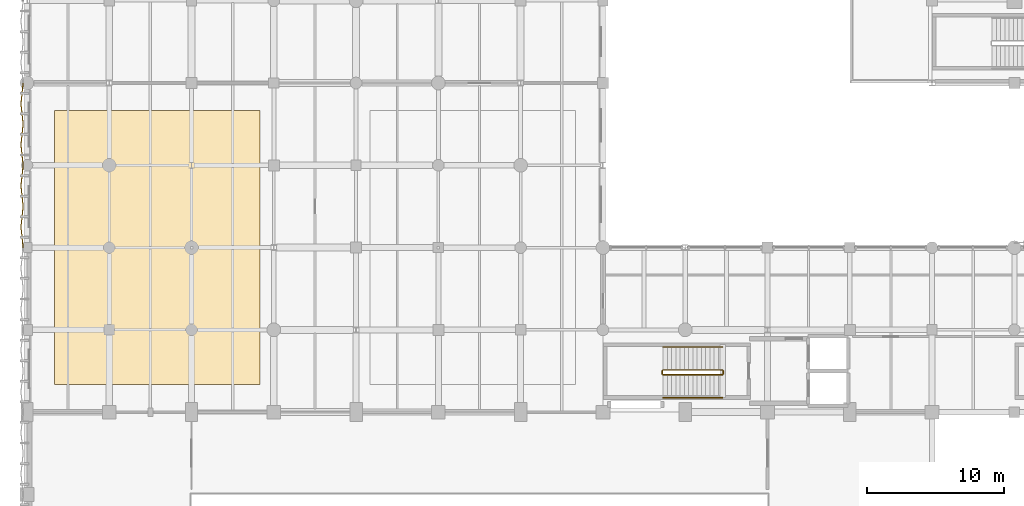
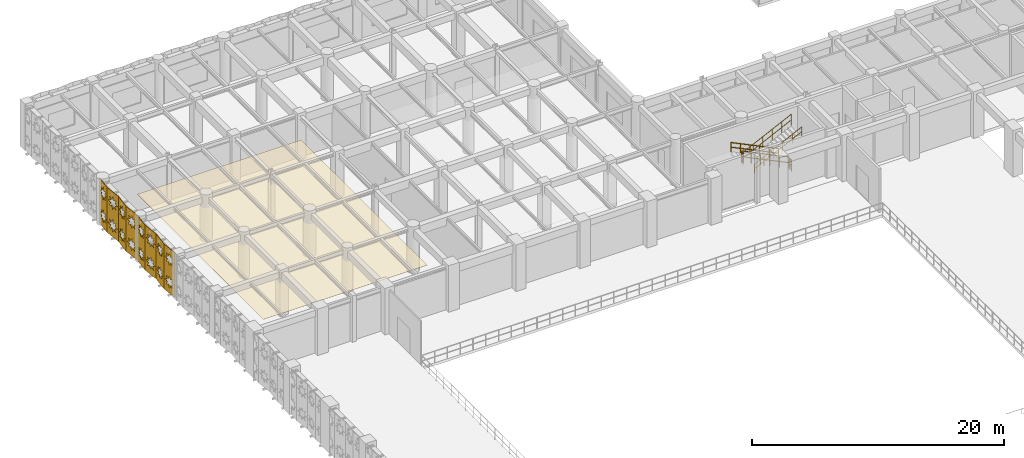
# One storey, part 126 of 133: 9 coverings, 6 railings.
"""IFC4 building model written with IfcOpenShell, lengths in metres."""

from ifc_helpers import new_model, si_unit, direction, frame, origin, origin_2d, place, context, subcontext, project, spatial, polyline, circle, outline, extrude, material, layer, layer_set, type_object, element, save


model = new_model("IFC4")

# Units and contexts
model_context = context("Model", 3, precision=1e-05, world=origin(), true_north=direction((0.0, 1.0)))
body_context = subcontext(model_context, "Body", "Model", "MODEL_VIEW")
ifc_project = project(units=[si_unit("LENGTHUNIT", "METRE"), si_unit("AREAUNIT", "SQUARE_METRE"), si_unit("VOLUMEUNIT", "CUBIC_METRE"), si_unit("PLANEANGLEUNIT", "RADIAN"), si_unit("MASSUNIT", "GRAM", prefix="KILO"), si_unit("THERMODYNAMICTEMPERATUREUNIT", "KELVIN"), si_unit("POWERUNIT", "WATT")], contexts=[model_context])

# Site, building, storey
site_placement = place(None, origin())
site = spatial("IfcSite", under=ifc_project, at=site_placement, CompositionType="ELEMENT")
building_placement = place(site_placement, origin())
building = spatial("IfcBuilding", under=site, at=building_placement, Name="Phaisarnlok Congress Hotel", CompositionType="ELEMENT")
storey_placement = place(building_placement, frame((0.0, 0.0, 6.0)))
storey = spatial("IfcBuildingStorey", under=building, at=storey_placement, Name="L01", CompositionType="ELEMENT", Elevation=6.0)

# Coverings
ifc_material_1 = material(Name="Moisture-Resistant Gypsum Ceiling Board", Category="gypsum")
ifc_layer_1 = layer(ifc_material_1, 0.014892578125, Name="Moisture-Resistant Gypsum Ceiling Board")
ifc_layer_set_1 = layer_set([ifc_layer_1], Name="Moisture-Resistant Gypsum Ceiling Board")
covering_type_1 = type_object("IfcCoveringType", Name="CLG-GYP-15", PredefinedType="CEILING", material=ifc_layer_set_1)
covering_placement = place(storey_placement, frame((0.0, 0.0, 3.199951171875)))
element("IfcCovering", 1, at=covering_placement, inside=storey, type_object=covering_type_1, Name="Suspended ceiling CLG-02 (L01)", PredefinedType="CEILING", context=body_context, shape_type="SweptSolid", body=[
    extrude(outline(polyline([(17.0, 106.0), (17.0, 86.0), (2.0, 86.0), (2.0, 106.0), (17.0, 106.0)])), origin(), (0.0, 0.0, 1.0), 0.01513671875),
])
ifc_material_2 = material(Name="PVDF White Perforated Aluminium Alloy 5052", Category="aluminium")
ifc_layer_2 = layer(ifc_material_2, 0.0400390625, Name="PVDF White Perforated Aluminium Alloy 5052")
ifc_layer_set_2 = layer_set([ifc_layer_2], Name="PVDF White Perforated Aluminium Alloy 5052")
covering_type_2 = type_object("IfcCoveringType", Name="COV-STAR-FOLD", PredefinedType="CLADDING", material=ifc_layer_set_2)
for number, where, z_axis, x_axis, name in (
    (2, (-0.300048828125, 96.0, 0.06005859375), (0.994517863207, 0.104566819602, 0.0), (-0.104566819602, 0.994517863207, 0.0), "Folded star-perforated hall screen SS-02 (V3W L01)"),
    (3, (-0.457763671875, 97.5, 0.06005859375), (0.994517863207, -0.104566819602, 0.0), (0.104566819602, 0.994517863207, 0.0), "Folded star-perforated hall screen SS-02 (V3W L01)"),
    (4, (-0.300048828125, 99.0, 0.06005859375), (0.994517863207, 0.104566819602, 0.0), (-0.104566819602, 0.994517863207, 0.0), "Folded star-perforated hall screen SS-02 (V3W L01)"),
    (5, (-0.457763671875, 100.5, 0.06005859375), (0.994517863207, -0.104566819602, 0.0), (0.104566819602, 0.994517863207, 0.0), "Folded star-perforated hall screen SS-02 (V3W L01)"),
    (6, (-0.300048828125, 102.0, 0.06005859375), (0.994517863207, 0.104566819602, 0.0), (-0.104566819602, 0.994517863207, 0.0), "Folded star-perforated hall screen SS-02 (V3W L01)"),
    (7, (-0.457763671875, 103.5, 0.06005859375), (0.994517863207, -0.104566819602, 0.0), (0.104566819602, 0.994517863207, 0.0), "Folded star-perforated hall screen SS-02 (V3W L01)"),
    (8, (-0.300048828125, 105.0, 0.06005859375), (0.994517863207, 0.104566819602, 0.0), (-0.104566819602, 0.994517863207, 0.0), "Folded star-perforated hall screen SS-02 (V3W L01)"),
    (9, (-0.457763671875, 106.5, 0.06005859375), (0.994517863207, -0.104566819602, 0.0), (0.104566819602, 0.994517863207, 0.0), "Folded star-perforated hall screen SS-02 (V3W L01)"),
):
    element("IfcCovering", number, at=place(storey_placement, frame(where, z_axis=z_axis, x_axis=x_axis)), inside=storey, type_object=covering_type_2, Name=name, PredefinedType="CLADDING", context=body_context, shape_type="SweptSolid", body=[
        extrude(outline(polyline([(0.0, 0.0), (1.5082685344258453, 0.0), (1.5082685344258453, 4.35986328125), (0.0, 4.35986328125), (0.0, 0.0)]), holes=[polyline([(1.0351, 0.9736), (1.2021, 0.6421), (0.8705, 0.8091), (0.7541, 0.4565), (0.6378, 0.8091), (0.3062, 0.6421), (0.4732, 0.9736), (0.1207, 1.09), (0.4732, 1.2064), (0.3062, 1.5379), (0.6378, 1.3709), (0.7541, 1.7235), (0.8705, 1.3709), (1.2021, 1.5379), (1.0351, 1.2064), (1.3876, 1.09), (1.0351, 0.9736)]), polyline([(1.0351, 3.1536), (1.2021, 2.8221), (0.8705, 2.9891), (0.7541, 2.6365), (0.6378, 2.9891), (0.3062, 2.8221), (0.4732, 3.1536), (0.1207, 3.27), (0.4732, 3.3864), (0.3062, 3.7179), (0.6378, 3.5509), (0.7541, 3.9035), (0.8705, 3.5509), (1.2021, 3.7179), (1.0351, 3.3864), (1.3876, 3.27), (1.0351, 3.1536)])]), origin(), (0.0, 0.0, 1.0), 0.0400390625),
    ])

# Railings
ifc_material_3 = material(Name="Painted Galvanised Steel S275", Category="steel")
railing_type_1 = type_object("IfcRailingType", Name="RLG-STR-GUARD", PredefinedType="BALUSTRADE", material=ifc_material_3)
railing_1_placement = place(storey_placement, frame((50.719970703125, 87.070068359375, 0.14990234375)))
element("IfcRailing", 10, at=railing_1_placement, inside=storey, type_object=railing_type_1, Name="L01 ST-01 stair guard 1", PredefinedType="BALUSTRADE", context=body_context, shape_type="SweptSolid", body=[
    extrude(circle(Radius=0.02392578125, at=origin_2d()), frame((0.0, 0.0, 1.076171875), z_axis=(-0.900154768424, 0.0, 0.435570192832), x_axis=(0.0, -1.0, 0.0)), (0.0, 0.0, 1.0), 4.821533203125),
    extrude(circle(Radius=0.02392578125, at=origin_2d()), frame((0.0, 0.0, 0.52587890625), z_axis=(-0.900154768424, 0.0, 0.435570192832), x_axis=(0.0, -1.0, 0.0)), (0.0, 0.0, 1.0), 4.821533203125),
    extrude(circle(Radius=0.02099609375, at=origin_2d()), origin(), (0.0, 0.0, 1.0), 1.052001953125),
    extrude(circle(Radius=0.02099609375, at=origin_2d()), frame((-0.867919921875, 0.0, 0.419921875)), (0.0, 0.0, 1.0), 1.052001953125),
    extrude(circle(Radius=0.02099609375, at=origin_2d()), frame((-1.736083984375, 0.0, 0.840087890625)), (0.0, 0.0, 1.0), 1.052001953125),
    extrude(circle(Radius=0.02099609375, at=origin_2d()), frame((-2.60400390625, 0.0, 1.260009765625)), (0.0, 0.0, 1.0), 1.052001953125),
    extrude(circle(Radius=0.02099609375, at=origin_2d()), frame((-3.47216796875, 0.0, 1.68017578125)), (0.0, 0.0, 1.0), 1.052001953125),
    extrude(circle(Radius=0.02099609375, at=origin_2d()), frame((-4.340087890625, 0.0, 2.10009765625)), (0.0, 0.0, 1.0), 1.052001953125),
])
railing_2_placement = place(storey_placement, frame((46.330078125, 87.02001953125, 2.25)))
element("IfcRailing", 11, at=railing_2_placement, inside=storey, type_object=railing_type_1, Name="L01 ST-01 stair guard 2", PredefinedType="BALUSTRADE", context=body_context, shape_type="SweptSolid", body=[
    extrude(circle(Radius=0.02392578125, at=origin_2d()), frame((0.0, 0.0, 1.076171875), z_axis=(0.0, -1.0, 0.0), x_axis=(1.0, 0.0, 0.0)), (0.0, 0.0, 1.0), 0.239990234375),
    extrude(circle(Radius=0.02392578125, at=origin_2d()), frame((0.0, 0.0, 0.52587890625), z_axis=(0.0, -1.0, 0.0), x_axis=(1.0, 0.0, 0.0)), (0.0, 0.0, 1.0), 0.239990234375),
    extrude(circle(Radius=0.02099609375, at=origin_2d()), origin(), (0.0, 0.0, 1.0), 1.052001953125),
    extrude(circle(Radius=0.02099609375, at=origin_2d()), frame((0.0, -0.239990234375, 0.0)), (0.0, 0.0, 1.0), 1.052001953125),
])
railing_3_placement = place(storey_placement, frame((46.3798828125, 86.72998046875, 2.39990234375)))
element("IfcRailing", 12, at=railing_3_placement, inside=storey, type_object=railing_type_1, Name="L01 ST-01 stair guard 3", PredefinedType="BALUSTRADE", context=body_context, shape_type="SweptSolid", body=[
    extrude(circle(Radius=0.02392578125, at=origin_2d()), frame((0.0, 0.0, 1.076171875), z_axis=(0.900154768424, 0.0, 0.435570192832), x_axis=(0.0, 1.0, 0.0)), (0.0, 0.0, 1.0), 4.821533203125),
    extrude(circle(Radius=0.02392578125, at=origin_2d()), frame((0.0, 0.0, 0.52587890625), z_axis=(0.900154768424, 0.0, 0.435570192832), x_axis=(0.0, 1.0, 0.0)), (0.0, 0.0, 1.0), 4.821533203125),
    extrude(circle(Radius=0.02099609375, at=origin_2d()), origin(), (0.0, 0.0, 1.0), 1.052001953125),
    extrude(circle(Radius=0.02099609375, at=origin_2d()), frame((0.867919921875, 0.0, 0.419921875)), (0.0, 0.0, 1.0), 1.052001953125),
    extrude(circle(Radius=0.02099609375, at=origin_2d()), frame((1.736083984375, 0.0, 0.840087890625)), (0.0, 0.0, 1.0), 1.052001953125),
    extrude(circle(Radius=0.02099609375, at=origin_2d()), frame((2.60400390625, 0.0, 1.260009765625)), (0.0, 0.0, 1.0), 1.052001953125),
    extrude(circle(Radius=0.02099609375, at=origin_2d()), frame((3.47216796875, 0.0, 1.68017578125)), (0.0, 0.0, 1.0), 1.052001953125),
    extrude(circle(Radius=0.02099609375, at=origin_2d()), frame((4.340087890625, 0.0, 2.10009765625)), (0.0, 0.0, 1.0), 1.052001953125),
])
railing_4_placement = place(storey_placement, frame((50.77001953125, 87.02001953125, 0.0)))
element("IfcRailing", 13, at=railing_4_placement, inside=storey, type_object=railing_type_1, Name="L01 ST-01 stair guard 4", PredefinedType="BALUSTRADE", context=body_context, shape_type="SweptSolid", body=[
    extrude(circle(Radius=0.02392578125, at=origin_2d()), frame((0.0, 0.0, 1.076171875), z_axis=(0.0, -1.0, 0.0), x_axis=(1.0, 0.0, 0.0)), (0.0, 0.0, 1.0), 0.239990234375),
    extrude(circle(Radius=0.02392578125, at=origin_2d()), frame((0.0, 0.0, 0.52587890625), z_axis=(0.0, -1.0, 0.0), x_axis=(1.0, 0.0, 0.0)), (0.0, 0.0, 1.0), 0.239990234375),
    extrude(circle(Radius=0.02099609375, at=origin_2d()), origin(), (0.0, 0.0, 1.0), 1.052001953125),
    extrude(circle(Radius=0.02099609375, at=origin_2d()), frame((0.0, -0.239990234375, 0.0)), (0.0, 0.0, 1.0), 1.052001953125),
])
ifc_material_4 = material(Name="Brushed Stainless Steel Grade 304", Category="steel")
railing_type_2 = type_object("IfcRailingType", Name="RLG-STR-HRAIL", PredefinedType="HANDRAIL", material=ifc_material_4)
railing_5_placement = place(storey_placement, frame((50.719970703125, 88.75, 0.14990234375)))
element("IfcRailing", 14, at=railing_5_placement, inside=storey, type_object=railing_type_2, Name="L01 ST-01 stair handrail 1", PredefinedType="HANDRAIL", context=body_context, shape_type="SweptSolid", body=[
    extrude(circle(Radius=0.02392578125, at=origin_2d()), frame((0.0, 0.0, 0.8759765625), z_axis=(-0.900154768424, 0.0, 0.435570192832), x_axis=(0.0, -1.0, 0.0)), (0.0, 0.0, 1.0), 4.821533203125),
    extrude(circle(Radius=0.02392578125, at=origin_2d()), frame((0.0, 0.0, 0.42578125), z_axis=(-0.900154768424, 0.0, 0.435570192832), x_axis=(0.0, -1.0, 0.0)), (0.0, 0.0, 1.0), 4.821533203125),
    extrude(circle(Radius=0.02099609375, at=origin_2d()), origin(), (0.0, 0.0, 1.0), 0.851806640625),
    extrude(circle(Radius=0.02099609375, at=origin_2d()), frame((-0.867919921875, 0.0, 0.419921875)), (0.0, 0.0, 1.0), 0.851806640625),
    extrude(circle(Radius=0.02099609375, at=origin_2d()), frame((-1.736083984375, 0.0, 0.840087890625)), (0.0, 0.0, 1.0), 0.851806640625),
    extrude(circle(Radius=0.02099609375, at=origin_2d()), frame((-2.60400390625, 0.0, 1.260009765625)), (0.0, 0.0, 1.0), 0.851806640625),
    extrude(circle(Radius=0.02099609375, at=origin_2d()), frame((-3.47216796875, 0.0, 1.68017578125)), (0.0, 0.0, 1.0), 0.851806640625),
    extrude(circle(Radius=0.02099609375, at=origin_2d()), frame((-4.340087890625, 0.0, 2.10009765625)), (0.0, 0.0, 1.0), 0.851806640625),
])
railing_6_placement = place(storey_placement, frame((46.3798828125, 85.050048828125, 2.39990234375)))
element("IfcRailing", 15, at=railing_6_placement, inside=storey, type_object=railing_type_2, Name="L01 ST-01 stair handrail 2", PredefinedType="HANDRAIL", context=body_context, shape_type="SweptSolid", body=[
    extrude(circle(Radius=0.02392578125, at=origin_2d()), frame((0.0, 0.0, 0.8759765625), z_axis=(0.900154768424, 0.0, 0.435570192832), x_axis=(0.0, 1.0, 0.0)), (0.0, 0.0, 1.0), 4.821533203125),
    extrude(circle(Radius=0.02392578125, at=origin_2d()), frame((0.0, 0.0, 0.42578125), z_axis=(0.900154768424, 0.0, 0.435570192832), x_axis=(0.0, 1.0, 0.0)), (0.0, 0.0, 1.0), 4.821533203125),
    extrude(circle(Radius=0.02099609375, at=origin_2d()), origin(), (0.0, 0.0, 1.0), 0.851806640625),
    extrude(circle(Radius=0.02099609375, at=origin_2d()), frame((0.867919921875, 0.0, 0.419921875)), (0.0, 0.0, 1.0), 0.851806640625),
    extrude(circle(Radius=0.02099609375, at=origin_2d()), frame((1.736083984375, 0.0, 0.840087890625)), (0.0, 0.0, 1.0), 0.851806640625),
    extrude(circle(Radius=0.02099609375, at=origin_2d()), frame((2.60400390625, 0.0, 1.260009765625)), (0.0, 0.0, 1.0), 0.851806640625),
    extrude(circle(Radius=0.02099609375, at=origin_2d()), frame((3.47216796875, 0.0, 1.68017578125)), (0.0, 0.0, 1.0), 0.851806640625),
    extrude(circle(Radius=0.02099609375, at=origin_2d()), frame((4.340087890625, 0.0, 2.10009765625)), (0.0, 0.0, 1.0), 0.851806640625),
])

save(model, "model.ifc")
